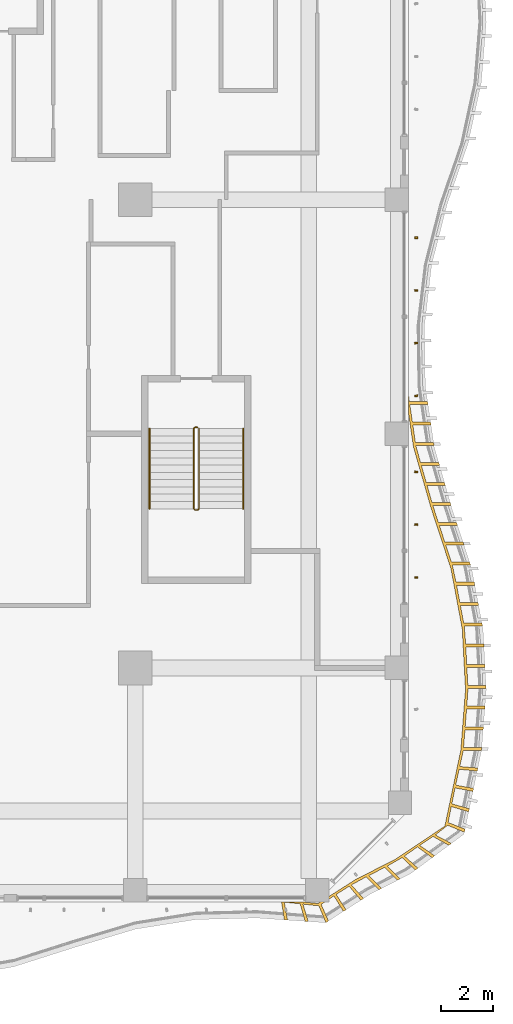
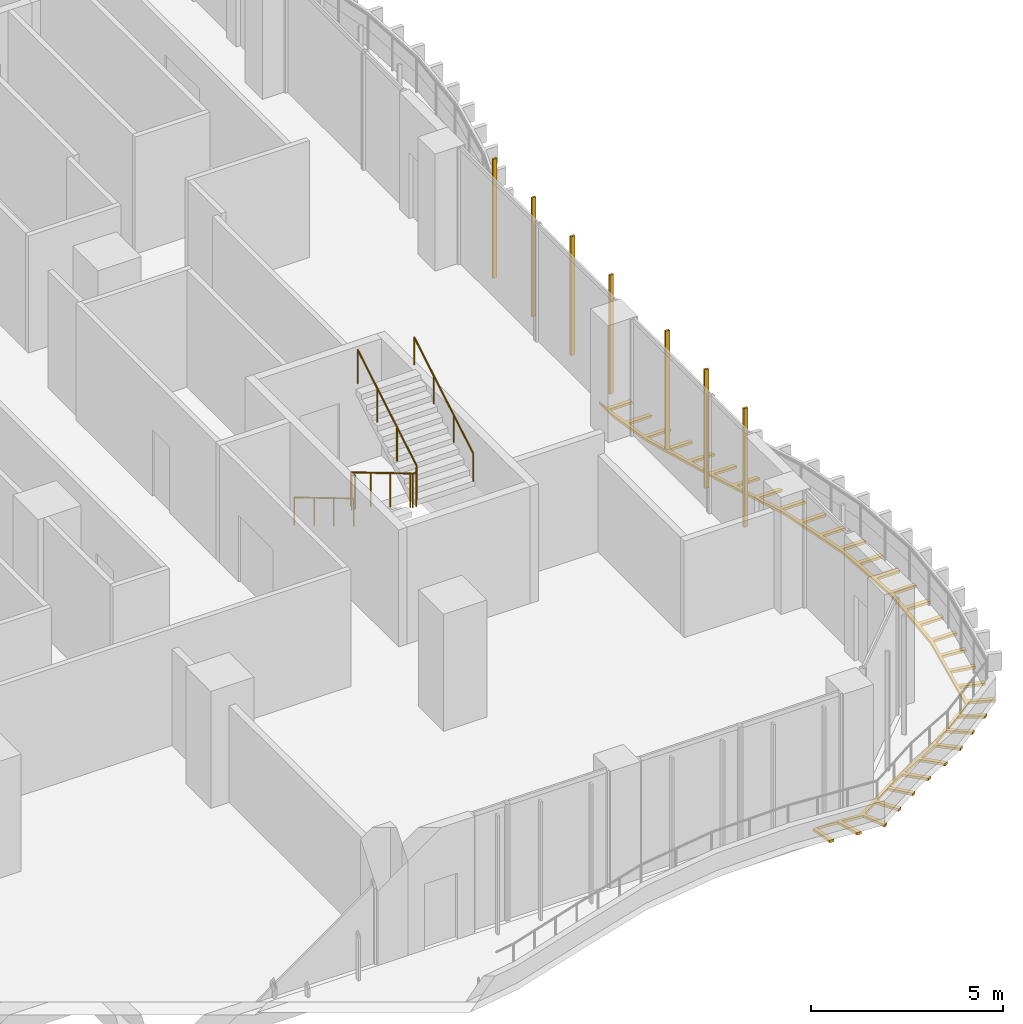
# One storey, part 23 of 27: 8 shading devices, 3 railings.
"""IFC4 building model written with IfcOpenShell, lengths in metres."""

from ifc_helpers import new_model, si_unit, direction, frame, origin, origin_2d, place, context, subcontext, project, spatial, polyline, rectangle, circle, outline, extrude, source, transform, mapped, material, layer, layer_set, material_profile, profile_set, type_object, element, save


model = new_model("IFC4")

# Units and contexts
model_context = context("Model", 3, precision=1e-05, world=origin(), true_north=direction((0.0, 1.0)))
body_context = subcontext(model_context, "Body", "Model", "MODEL_VIEW")
ifc_project = project(units=[si_unit("LENGTHUNIT", "METRE"), si_unit("AREAUNIT", "SQUARE_METRE"), si_unit("VOLUMEUNIT", "CUBIC_METRE"), si_unit("PLANEANGLEUNIT", "RADIAN"), si_unit("MASSUNIT", "GRAM", prefix="KILO")], contexts=[model_context])

# Site, building, storey
site_placement = place(None, origin())
site = spatial("IfcSite", under=ifc_project, at=site_placement, CompositionType="ELEMENT")
building_placement = place(site_placement, origin())
building = spatial("IfcBuilding", under=site, at=building_placement, Name="Kilnfold Tower and Market Hall", CompositionType="ELEMENT")
storey_placement = place(building_placement, frame((0.0, 0.0, 47.0)))
storey = spatial("IfcBuildingStorey", under=building, at=storey_placement, Name="L10", CompositionType="ELEMENT", Elevation=47.0)

# Railings
ifc_material_1 = material(Name="Stainless steel 316", Category="steel")
railing_type_1 = type_object("IfcRailingType", Name="CORE STAIR GUARD 1100", PredefinedType="GUARDRAIL", material=ifc_material_1)
railing_1_placement = place(storey_placement, frame((19.89990234375, -9.75, 0.0)))
element("IfcRailing", 1, at=railing_1_placement, inside=storey, type_object=railing_type_1, Name="L10 ST4 stair guard 1", PredefinedType="GUARDRAIL", context=body_context, shape_type="SweptSolid", body=[
    extrude(circle(Radius=0.02392578125, at=origin_2d()), frame((0.0, 0.0, 1.076171875), z_axis=(-1.0, 0.0, 0.0), x_axis=(0.0, -1.0, 0.0)), (0.0, 0.0, 1.0), 0.099853515625),
    extrude(circle(Radius=0.02392578125, at=origin_2d()), frame((-0.099853515625, 0.0, 1.076171875), z_axis=(-0.27628659633, -0.27628659633, 0.920506074601), x_axis=(0.707106781187, -0.707106781187, 0.0)), (0.0, 0.0, 1.0), 0.18115234375),
    extrude(circle(Radius=0.02392578125, at=origin_2d()), frame((-0.14990234375, -0.050048828125, 1.24267578125), z_axis=(0.0, -0.859290745958, 0.51148745235), x_axis=(1.0, 0.0, 0.0)), (0.0, 0.0, 1.0), 3.584228515625),
    extrude(circle(Radius=0.02392578125, at=origin_2d()), frame((-0.14990234375, -3.1298828125, 3.076171875), z_axis=(0.707106781187, -0.707106781187, 0.0), x_axis=(0.707106781187, 0.707106781187, 0.0)), (0.0, 0.0, 1.0), 0.07080078125),
    extrude(circle(Radius=0.02392578125, at=origin_2d()), frame((-0.099853515625, -3.179931640625, 3.076171875), z_axis=(1.0, 0.0, 0.0), x_axis=(0.0, 1.0, 0.0)), (0.0, 0.0, 1.0), 0.099853515625),
    extrude(circle(Radius=0.02392578125, at=origin_2d()), frame((0.0, -3.179931640625, 3.076171875), z_axis=(0.27628659633, 0.27628659633, 0.920506074601), x_axis=(-0.707106781187, 0.707106781187, 0.0)), (0.0, 0.0, 1.0), 0.18115234375),
    extrude(circle(Radius=0.02392578125, at=origin_2d()), frame((0.050048828125, -3.1298828125, 3.24267578125), z_axis=(0.0, 0.859290745958, 0.51148745235), x_axis=(-1.0, 0.0, 0.0)), (0.0, 0.0, 1.0), 3.584228515625),
    extrude(circle(Radius=0.02099609375, at=origin_2d()), origin(), (0.0, 0.0, 1.0), 1.052001953125),
    extrude(circle(Radius=0.02099609375, at=origin_2d()), frame((-0.099853515625, 0.0, 0.0)), (0.0, 0.0, 1.0), 1.052001953125),
    extrude(circle(Radius=0.02099609375, at=origin_2d()), frame((-0.14990234375, -0.050048828125, 0.166748046875)), (0.0, 0.0, 1.0), 1.052001953125),
    extrude(circle(Radius=0.02099609375, at=origin_2d()), frame((-0.14990234375, -1.07666015625, 0.77783203125)), (0.0, 0.0, 1.0), 1.052001953125),
    extrude(circle(Radius=0.02099609375, at=origin_2d()), frame((-0.14990234375, -2.103271484375, 1.388916015625)), (0.0, 0.0, 1.0), 1.052001953125),
    extrude(circle(Radius=0.02099609375, at=origin_2d()), frame((-0.14990234375, -3.1298828125, 2.0)), (0.0, 0.0, 1.0), 1.052001953125),
    extrude(circle(Radius=0.02099609375, at=origin_2d()), frame((-0.099853515625, -3.179931640625, 2.0)), (0.0, 0.0, 1.0), 1.052001953125),
    extrude(circle(Radius=0.02099609375, at=origin_2d()), frame((0.0, -3.179931640625, 2.0)), (0.0, 0.0, 1.0), 1.052001953125),
    extrude(circle(Radius=0.02099609375, at=origin_2d()), frame((0.050048828125, -3.1298828125, 2.166748046875)), (0.0, 0.0, 1.0), 1.052001953125),
    extrude(circle(Radius=0.02099609375, at=origin_2d()), frame((0.050048828125, -2.103271484375, 2.77783203125)), (0.0, 0.0, 1.0), 1.052001953125),
    extrude(circle(Radius=0.02099609375, at=origin_2d()), frame((0.050048828125, -1.07666015625, 3.388916015625)), (0.0, 0.0, 1.0), 1.052001953125),
    extrude(circle(Radius=0.02099609375, at=origin_2d()), frame((0.050048828125, -0.050048828125, 4.0)), (0.0, 0.0, 1.0), 1.052001953125),
])
ifc_material_2 = material(Name="Stainless steel 316", Category="steel")
railing_type_2 = type_object("IfcRailingType", Name="CORE STAIR HANDRAIL 900", PredefinedType="HANDRAIL", material=ifc_material_2)
railing_2_placement = place(storey_placement, frame((18.050048828125, -9.800048828125, 0.166748046875)))
element("IfcRailing", 2, at=railing_2_placement, inside=storey, type_object=railing_type_2, Name="L10 ST4 stair handrail 1", PredefinedType="HANDRAIL", context=body_context, shape_type="SweptSolid", body=[
    extrude(circle(Radius=0.02392578125, at=origin_2d()), frame((0.0, 0.0, 0.8759765625), z_axis=(0.0, -0.859290745958, 0.51148745235), x_axis=(1.0, 0.0, 0.0)), (0.0, 0.0, 1.0), 3.584228515625),
    extrude(circle(Radius=0.02099609375, at=origin_2d()), origin(), (0.0, 0.0, 1.0), 0.851806640625),
    extrude(circle(Radius=0.02099609375, at=origin_2d()), frame((0.0, -1.026611328125, 0.611083984375)), (0.0, 0.0, 1.0), 0.851806640625),
    extrude(circle(Radius=0.02099609375, at=origin_2d()), frame((0.0, -2.05322265625, 1.22216796875)), (0.0, 0.0, 1.0), 0.851806640625),
    extrude(circle(Radius=0.02099609375, at=origin_2d()), frame((0.0, -3.079833984375, 1.833251953125)), (0.0, 0.0, 1.0), 0.851806640625),
])
railing_3_placement = place(storey_placement, frame((21.64990234375, -12.8798828125, 2.166748046875)))
element("IfcRailing", 3, at=railing_3_placement, inside=storey, type_object=railing_type_2, Name="L10 ST4 stair handrail 2", PredefinedType="HANDRAIL", context=body_context, shape_type="SweptSolid", body=[
    extrude(circle(Radius=0.02392578125, at=origin_2d()), frame((0.0, 0.0, 0.8759765625), z_axis=(0.0, 0.859290745958, 0.51148745235), x_axis=(-1.0, 0.0, 0.0)), (0.0, 0.0, 1.0), 3.584228515625),
    extrude(circle(Radius=0.02099609375, at=origin_2d()), origin(), (0.0, 0.0, 1.0), 0.851806640625),
    extrude(circle(Radius=0.02099609375, at=origin_2d()), frame((0.0, 1.026611328125, 0.611083984375)), (0.0, 0.0, 1.0), 0.851806640625),
    extrude(circle(Radius=0.02099609375, at=origin_2d()), frame((0.0, 2.05322265625, 1.22216796875)), (0.0, 0.0, 1.0), 0.851806640625),
    extrude(circle(Radius=0.02099609375, at=origin_2d()), frame((0.0, 3.079833984375, 1.833251953125)), (0.0, 0.0, 1.0), 0.851806640625),
])

# Shading devices
ifc_material_3 = material(Name="Terracotta", Category="masonry")
ifc_material_profile = material_profile(ifc_material_3, rectangle(XDim=0.06005859375, YDim=0.1201171875, at=origin_2d()), Name="BAG 60x120")
ifc_profile_set = profile_set([ifc_material_profile], Name="Terracotta")
shading_device_type_1 = type_object("IfcShadingDeviceType", Name="BAGUETTE", PredefinedType="USERDEFINED", material=ifc_profile_set)
shared_shape_1 = source(origin(), body_context, "Body", "SweptSolid", [
    extrude(rectangle(XDim=0.06005859375, YDim=0.1201171875, at=origin_2d()), origin(), (0.0, 0.0, 1.0), 3.780029296875),
])
for number, where, z_axis, x_axis, name in (
    (4, (28.300048828125, -15.52490234375, 0.0), (0.0, 0.0, 1.0), (0.059909183707, 0.998203831744, 0.0), "Terracotta baguette L10 E"),
    (5, (28.300048828125, -13.487548828125, 0.0), (0.0, 0.0, 1.0), (0.136059671298, 0.990700643911, 0.0), "Terracotta baguette L10 E"),
    (6, (28.300048828125, -11.46240234375, 0.0), (0.0, 0.0, 1.0), (0.106928723785, 0.994266688585, 0.0), "Terracotta baguette L10 E"),
    (7, (28.300048828125, -8.53759765625, 0.0), (0.0, 0.0, 1.0), (-0.059201837821, 0.998246032999, 0.0), "Terracotta baguette L10 E"),
    (8, (28.300048828125, -6.512451171875, 0.0), (0.0, 0.0, 1.0), (-0.135722489156, 0.990746892974, 0.0), "Terracotta baguette L10 E"),
    (9, (28.300048828125, -4.487548828125, 0.0), (0.0, 0.0, 1.0), (-0.107921274939, 0.994159443156, 0.0), "Terracotta baguette L10 E"),
    (10, (28.300048828125, -2.46240234375, 0.0), (0.0, 0.0, 1.0), (0.003211400304, 0.999994843441, 0.0), "Terracotta baguette L10 E"),
):
    element("IfcShadingDevice", number, at=place(storey_placement, frame(where, z_axis=z_axis, x_axis=x_axis)), inside=storey, type_object=shading_device_type_1, Name=name, ObjectType="BAGUETTE", PredefinedType="USERDEFINED", context=body_context, shape_type="MappedRepresentation", body=[
        mapped(shared_shape_1, transform((0.0, 0.0, 0.0))),
    ])
ifc_material_4 = material(Name="Bronze anodised aluminium", Category="aluminium")
ifc_layer = layer(ifc_material_4, 0.080078125)
ifc_layer_set = layer_set([ifc_layer], Name="Bronze anodised aluminium")
shading_device_type_2 = type_object("IfcShadingDeviceType", Name="BRONZE SLAT SOFFIT 80", PredefinedType="USERDEFINED", material=ifc_layer_set)
shared_shape_2 = source(origin(), body_context, "Body", "SweptSolid", [
    extrude(outline(polyline([(24.523193359375, -28.05615234375), (25.96875, -27.135498046875), (27.514892578125, -26.348388671875), (29.404541015625, -25.081787109375), (30.017578125, -22.166748046875), (30.19873046875, -19.833251953125), (30.073486328125, -17.5), (29.63525390625, -15.166748046875), (28.86767578125, -12.833251953125), (28.19775390625, -10.5), (28.0, -9.1494140625), (28.0, -8.4267578125), (28.041259765625, -8.748779296875), (28.7412109375, -8.748779296875), (28.7587890625, -8.867431640625), (28.05859375, -8.867431640625), (28.1572265625, -9.540283203125), (28.857177734375, -9.540283203125), (28.87451171875, -9.658935546875), (28.174560546875, -9.658935546875), (28.273193359375, -10.331787109375), (28.97314453125, -10.331787109375), (28.990478515625, -10.450439453125), (28.29052734375, -10.450439453125), (28.4716796875, -11.10546875), (29.171630859375, -11.10546875), (29.20458984375, -11.220947265625), (28.504638671875, -11.220947265625), (28.6923828125, -11.87451171875), (29.392333984375, -11.87451171875), (29.425537109375, -11.98974609375), (28.7255859375, -11.98974609375), (28.9130859375, -12.643310546875), (29.613037109375, -12.643310546875), (29.646240234375, -12.7587890625), (28.9462890625, -12.7587890625), (29.156005859375, -13.405517578125), (29.85595703125, -13.405517578125), (29.893310546875, -13.51953125), (29.193359375, -13.51953125), (29.40576171875, -14.16552734375), (30.105712890625, -14.16552734375), (30.143310546875, -14.279541015625), (29.443359375, -14.279541015625), (29.65576171875, -14.925537109375), (30.355712890625, -14.925537109375), (30.393310546875, -15.039306640625), (29.693359375, -15.039306640625), (29.8359375, -15.703369140625), (30.535888671875, -15.703369140625), (30.55810546875, -15.8212890625), (29.858154296875, -15.8212890625), (29.983642578125, -16.489501953125), (30.68359375, -16.489501953125), (30.705810546875, -16.607421875), (30.005859375, -16.607421875), (30.13134765625, -17.27587890625), (30.831298828125, -17.27587890625), (30.853515625, -17.393798828125), (30.153564453125, -17.393798828125), (30.2041015625, -18.071044921875), (30.904052734375, -18.071044921875), (30.91064453125, -18.19091796875), (30.210693359375, -18.19091796875), (30.2470703125, -18.8701171875), (30.947021484375, -18.8701171875), (30.953369140625, -18.98974609375), (30.25341796875, -18.98974609375), (30.289794921875, -19.668701171875), (30.989990234375, -19.668701171875), (30.996337890625, -19.78857421875), (30.29638671875, -19.78857421875), (30.24951171875, -20.466796875), (30.949462890625, -20.466796875), (30.940185546875, -20.586181640625), (30.240234375, -20.586181640625), (30.1875, -21.264404296875), (30.8876953125, -21.264404296875), (30.87841796875, -21.3837890625), (30.178466796875, -21.3837890625), (30.125732421875, -22.06201171875), (30.82568359375, -22.06201171875), (30.817626953125, -22.166748046875), (30.814697265625, -22.18115234375), (30.114501953125, -22.179931640625), (29.977783203125, -22.78955078125), (30.67529296875, -22.8466796875), (30.650634765625, -22.96435546875), (29.9541015625, -22.89697265625), (29.822509765625, -23.505859375), (30.511474609375, -23.6298828125), (30.48681640625, -23.747314453125), (29.7998046875, -23.61328125), (29.673828125, -24.22314453125), (30.34765625, -24.412841796875), (30.322998046875, -24.530517578125), (29.652099609375, -24.330810546875), (29.53125, -24.943115234375), (30.183837890625, -25.196044921875), (30.1591796875, -25.3134765625), (29.51025390625, -25.05126953125), (29.038818359375, -25.42138671875), (29.658203125, -25.7470703125), (29.561767578125, -25.818359375), (28.9482421875, -25.481201171875), (28.4404296875, -25.822998046875), (29.01513671875, -26.222900390625), (28.918701171875, -26.294189453125), (28.3515625, -25.8837890625), (27.8505859375, -26.231201171875), (28.371826171875, -26.698486328125), (28.275390625, -26.77001953125), (27.7626953125, -26.293212890625), (27.195556640625, -26.61767578125), (27.690673828125, -27.112548828125), (27.58349609375, -27.1669921875), (27.088623046875, -26.672119140625), (26.482666015625, -26.98046875), (26.9775390625, -27.4755859375), (26.87060546875, -27.530029296875), (26.375732421875, -27.034912109375), (25.814208984375, -27.341796875), (26.27978515625, -27.864501953125), (26.1787109375, -27.929443359375), (25.725341796875, -27.39599609375), (25.227783203125, -27.7080078125), (25.6064453125, -28.296630859375), (25.50537109375, -28.361572265625), (25.140869140625, -27.763916015625), (24.650146484375, -28.08837890625), (24.93310546875, -28.728759765625), (24.83203125, -28.793701171875), (24.563720703125, -28.14697265625), (23.951416015625, -28.079345703125), (24.154296875, -28.749267578125), (24.034423828125, -28.7412109375), (23.843505859375, -28.067626953125), (23.234130859375, -28.005615234375), (23.35595703125, -28.695068359375), (23.236328125, -28.686767578125), (23.12744140625, -28.0), (23.9765625, -28.0), (24.523193359375, -28.05615234375)])), origin(), (0.0, 0.0, 1.0), 0.080078125),
])
shading_device_placement = place(storey_placement, frame((0.0, 0.0, -0.300048828125)))
element("IfcShadingDevice", 11, at=shading_device_placement, inside=storey, type_object=shading_device_type_2, Name="Balcony soffit slats L10", ObjectType="SLAT", PredefinedType="USERDEFINED", context=body_context, shape_type="MappedRepresentation", body=[
    mapped(shared_shape_2, transform((0.0, 0.0, 0.0))),
])

save(model, "model.ifc")
